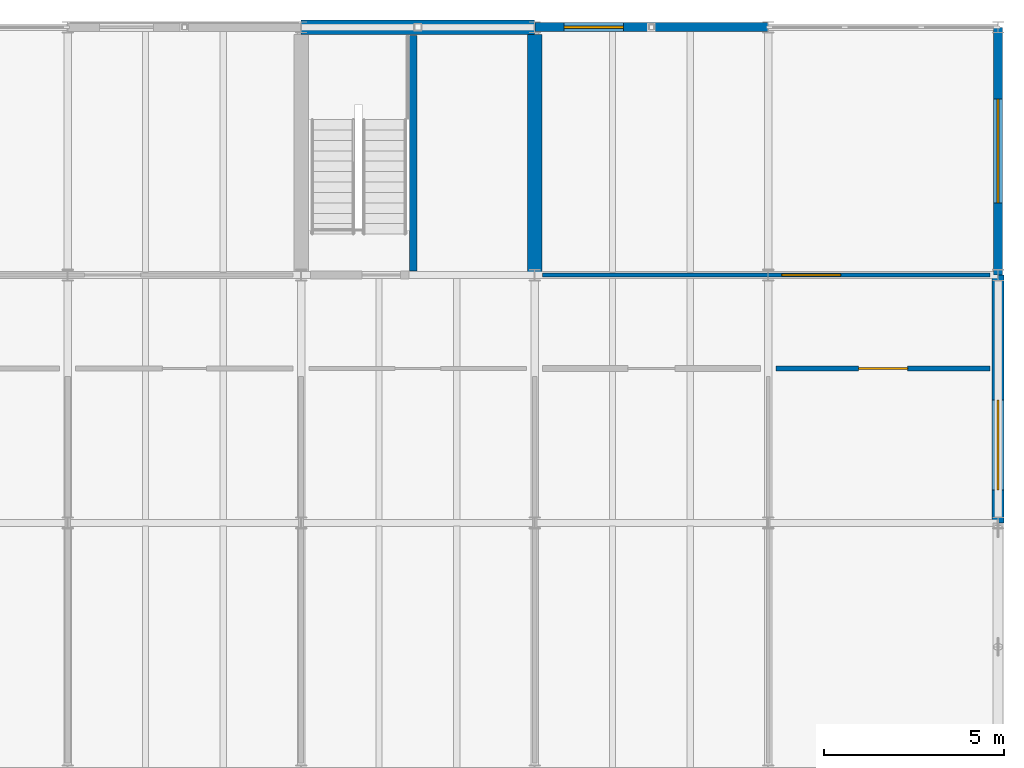
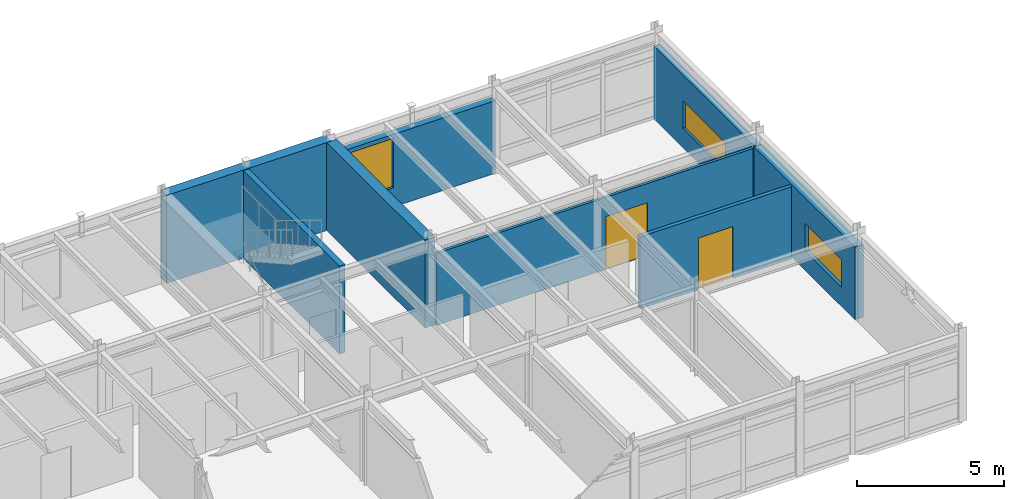
# One storey, part 43 of 49: 8 walls, 3 windows, 2 doors, 5 openings.
"""IFC4 building model written with IfcOpenShell, lengths in metres."""

from ifc_helpers import new_model, si_unit, direction, frame, frame_2d, origin, place, context, subcontext, project, spatial, rectangle, extrude, material, layer, layer_set, type_object, element, fill, save


model = new_model("IFC4")

# Units and contexts
model_context = context("Model", 3, precision=1e-05, world=origin(), true_north=direction((0.0, 1.0)))
body_context = subcontext(model_context, "Body", "Model", "MODEL_VIEW")
ifc_project = project(units=[si_unit("LENGTHUNIT", "METRE"), si_unit("AREAUNIT", "SQUARE_METRE"), si_unit("VOLUMEUNIT", "CUBIC_METRE"), si_unit("PLANEANGLEUNIT", "RADIAN"), si_unit("MASSUNIT", "GRAM", prefix="KILO")], contexts=[model_context])

# Site, building, storey
site_placement = place(None, origin())
site = spatial("IfcSite", under=ifc_project, at=site_placement, CompositionType="ELEMENT")
building_placement = place(site_placement, origin())
building = spatial("IfcBuilding", under=site, at=building_placement, Name="Trelmorton Wharf Fire Station", CompositionType="ELEMENT")
storey_placement = place(building_placement, frame((0.0, 0.0, 9.60009765625)))
storey = spatial("IfcBuildingStorey", under=building, at=storey_placement, Name="L02", CompositionType="ELEMENT", Elevation=9.60009765625)

# Wall, opening, window
ifc_material_1 = material(Name="Precast concrete 45 MPa", Category="concrete")
ifc_layer_1 = layer(ifc_material_1, 0.25)
ifc_layer_set_1 = layer_set([ifc_layer_1], Name="Precast concrete 45 MPa")
wall_type_1 = type_object("IfcWallType", Name="EW_PREC_250", PredefinedType="SOLIDWALL", material=ifc_layer_set_1)
wall_1_placement = place(storey_placement, frame((149.5048828125, 81.0, 0.0), z_axis=(0.0, 0.0, 1.0), x_axis=(1.0, 0.0, 0.0)))
wall_1 = element("IfcWall", 1, at=wall_1_placement, inside=storey, type_object=wall_type_1, Name="EW-V4-L02-0229", PredefinedType="SOLIDWALL", context=body_context, shape_type="SweptSolid", body=[
    extrude(rectangle(XDim=6.490234375, YDim=0.25, at=frame_2d((3.2451171875, 0.0))), origin(), (0.0, 0.0, 1.0), 3.02001953125),
])
opening_1_placement = place(wall_1_placement, frame((0.8125, 0.0, 0.800048828125)))
opening_1 = element("IfcOpeningElement", 2, at=opening_1_placement, cuts=wall_1, Name="Opening W24", PredefinedType="OPENING", context=body_context, shape_type="SweptSolid", body=[
    extrude(rectangle(XDim=1.64990234375, YDim=2.050048828125, at=frame_2d((0.824951171875, 1.02490234375))), frame((0.0, 0.135009765625, 0.0), z_axis=(0.0, -1.0, 0.0), x_axis=(1.0, 0.0, 0.0)), (0.0, 0.0, 1.0), 0.27001953125),
])
ifc_material_2 = material(Name="Tempered low-E double glazing", Category="glass")
window_type_1 = type_object("IfcWindowType", Name="WIN_W24", PartitioningType="DOUBLE_PANEL_VERTICAL", PredefinedType="WINDOW", material=ifc_material_2)
window_1_placement = place(opening_1_placement, origin())
window_1 = element("IfcWindow", 3, at=window_1_placement, inside=storey, type_object=window_type_1, Name="WN-V4-L02-0131", OverallHeight=2.050048828125, OverallWidth=1.64990234375, PartitioningType="DOUBLE_PANEL_VERTICAL", PredefinedType="WINDOW", context=body_context, shape_type="SweptSolid", body=[
    extrude(rectangle(XDim=1.64990234375, YDim=2.050048828125, at=frame_2d((0.824951171875, 1.02490234375))), frame((0.0, 0.030029296875, 0.0), z_axis=(0.0, -1.0, 0.0), x_axis=(1.0, 0.0, 0.0)), (0.0, 0.0, 1.0), 0.06005859375),
])
fill(opening_1, window_1)

wall_2_placement = place(storey_placement, frame((162.39990234375, 80.9951171875, 0.0), z_axis=(0.0, 0.0, 1.0), x_axis=(0.0, -1.0, 0.0)))
wall_2 = element("IfcWall", 4, at=wall_2_placement, inside=storey, type_object=wall_type_1, Name="EW-V4-L02-0235", PredefinedType="SOLIDWALL", context=body_context, shape_type="SweptSolid", body=[
    extrude(rectangle(XDim=6.89013671875, YDim=0.25, at=frame_2d((3.445068359375, 0.0))), origin(), (0.0, 0.0, 1.0), 3.02001953125),
])
opening_2_placement = place(wall_2_placement, frame((1.9951171875, 0.0, 0.800048828125)))
opening_2 = element("IfcOpeningElement", 5, at=opening_2_placement, cuts=wall_2, Name="Opening W28", PredefinedType="OPENING", context=body_context, shape_type="SweptSolid", body=[
    extrude(rectangle(XDim=2.89990234375, YDim=1.14990234375, at=frame_2d((1.449951171875, 0.574951171875))), frame((0.0, 0.135009765625, 0.0), z_axis=(0.0, -1.0, 0.0), x_axis=(1.0, 0.0, 0.0)), (0.0, 0.0, 1.0), 0.27001953125),
])
window_type_2 = type_object("IfcWindowType", Name="WIN_W28", PartitioningType="TRIPLE_PANEL_VERTICAL", PredefinedType="WINDOW", material=ifc_material_2)
window_2_placement = place(opening_2_placement, origin())
window_2 = element("IfcWindow", 6, at=window_2_placement, inside=storey, type_object=window_type_2, Name="WN-V4-L02-0135", OverallHeight=1.14990234375, OverallWidth=2.89990234375, PartitioningType="TRIPLE_PANEL_VERTICAL", PredefinedType="WINDOW", context=body_context, shape_type="SweptSolid", body=[
    extrude(rectangle(XDim=2.89990234375, YDim=1.14990234375, at=frame_2d((1.449951171875, 0.574951171875))), frame((0.0, 0.030029296875, 0.0), z_axis=(0.0, -1.0, 0.0), x_axis=(1.0, 0.0, 0.0)), (0.0, 0.0, 1.0), 0.06005859375),
])
fill(opening_2, window_2)

ifc_layer_2 = layer(ifc_material_1, 0.330078125)
ifc_layer_set_2 = layer_set([ifc_layer_2], Name="Precast concrete 45 MPa")
wall_type_2 = type_object("IfcWallType", Name="EW_TERR_330", PredefinedType="SOLIDWALL", material=ifc_layer_set_2)
wall_3_placement = place(storey_placement, frame((162.39990234375, 74.094970703125, 0.0), z_axis=(0.0, 0.0, 1.0), x_axis=(0.0, -1.0, 0.0)))
wall_3 = element("IfcWall", 7, at=wall_3_placement, inside=storey, type_object=wall_type_2, Name="EW-V4-L02-0233", PredefinedType="SOLIDWALL", context=body_context, shape_type="SweptSolid", body=[
    extrude(rectangle(XDim=6.889892578125, YDim=0.330078125, at=frame_2d((3.44482421875, 0.0))), origin(), (0.0, 0.0, 1.0), 3.02001953125),
])
opening_3_placement = place(wall_3_placement, frame((3.4775390625, 0.0, 0.800048828125)))
opening_3 = element("IfcOpeningElement", 8, at=opening_3_placement, cuts=wall_3, Name="Opening W26", PredefinedType="OPENING", context=body_context, shape_type="SweptSolid", body=[
    extrude(rectangle(XDim=2.5, YDim=1.14990234375, at=frame_2d((1.25, 0.574951171875))), frame((0.0, 0.175048828125, 0.0), z_axis=(0.0, -1.0, 0.0), x_axis=(1.0, 0.0, 0.0)), (0.0, 0.0, 1.0), 0.35009765625),
])
window_type_3 = type_object("IfcWindowType", Name="WIN_W26", PartitioningType="TRIPLE_PANEL_VERTICAL", PredefinedType="WINDOW", material=ifc_material_2)
window_3_placement = place(opening_3_placement, origin())
window_3 = element("IfcWindow", 9, at=window_3_placement, inside=storey, type_object=window_type_3, Name="WN-V4-L02-0133", OverallHeight=1.14990234375, OverallWidth=2.5, PartitioningType="TRIPLE_PANEL_VERTICAL", PredefinedType="WINDOW", context=body_context, shape_type="SweptSolid", body=[
    extrude(rectangle(XDim=2.5, YDim=1.14990234375, at=frame_2d((1.25, 0.574951171875))), frame((0.0, 0.030029296875, 0.0), z_axis=(0.0, -1.0, 0.0), x_axis=(1.0, 0.0, 0.0)), (0.0, 0.0, 1.0), 0.06005859375),
])
fill(opening_3, window_3)

# Wall, opening, door
ifc_material_3 = material(Name="Gypsum plasterboard partition")
ifc_layer_3 = layer(ifc_material_3, 0.14990234375)
ifc_layer_set_3 = layer_set([ifc_layer_3], Name="Gypsum plasterboard partition")
wall_type_3 = type_object("IfcWallType", Name="IW_ACOU_150", PredefinedType="PARTITIONING", material=ifc_layer_set_3)
wall_4_placement = place(storey_placement, frame((156.219970703125, 71.5, 0.0), z_axis=(0.0, 0.0, 1.0), x_axis=(1.0, 0.0, 0.0)))
wall_4 = element("IfcWall", 10, at=wall_4_placement, inside=storey, type_object=wall_type_3, Name="IW-L02-0170", PredefinedType="PARTITIONING", context=body_context, shape_type="SweptSolid", body=[
    extrude(rectangle(XDim=5.9599609375, YDim=0.14990234375, at=frame_2d((2.97998046875, 0.0))), origin(), (0.0, 0.0, 1.0), 3.0),
])
opening_4_placement = place(wall_4_placement, frame((2.300048828125, 0.0, 0.0)))
opening_4 = element("IfcOpeningElement", 11, at=opening_4_placement, cuts=wall_4, Name="Opening D-114", PredefinedType="OPENING", context=body_context, shape_type="SweptSolid", body=[
    extrude(rectangle(XDim=1.360107421875, YDim=2.14990234375, at=frame_2d((0.68017578125, 1.074951171875))), frame((0.0, 0.0849609375, 0.0), z_axis=(0.0, -1.0, 0.0), x_axis=(1.0, 0.0, 0.0)), (0.0, 0.0, 1.0), 0.169921875),
])
ifc_material_4 = material(Name="Acoustic timber panelling", Category="wood")
door_type_1 = type_object("IfcDoorType", Name="DR_INT_136", OperationType="DOUBLE_DOOR_SINGLE_SWING", PredefinedType="DOOR", material=ifc_material_4)
door_1_placement = place(opening_4_placement, origin())
door_1 = element("IfcDoor", 12, at=door_1_placement, inside=storey, type_object=door_type_1, Name="Interior Door D-114", OperationType="DOUBLE_DOOR_SINGLE_SWING", OverallHeight=2.14990234375, OverallWidth=1.360107421875, PredefinedType="DOOR", context=body_context, shape_type="SweptSolid", body=[
    extrude(rectangle(XDim=1.360107421875, YDim=2.14990234375, at=frame_2d((0.68017578125, 1.074951171875))), frame((0.0, 0.02490234375, 0.0), z_axis=(0.0, -1.0, 0.0), x_axis=(1.0, 0.0, 0.0)), (0.0, 0.0, 1.0), 0.050048828125),
])
fill(opening_4, door_1)

# Wall
ifc_material_5 = material(Name="Concrete 40 MPa", Category="concrete")
ifc_layer_4 = layer(ifc_material_5, 0.219970703125)
ifc_layer_set_4 = layer_set([ifc_layer_4], Name="Concrete 40 MPa")
wall_type_4 = type_object("IfcWallType", Name="IW_CORE_220", PredefinedType="SOLIDWALL", material=ifc_layer_set_4)
wall_5_placement = place(storey_placement, frame((146.1201171875, 74.219970703125, 0.0), z_axis=(0.0, 0.0, 1.0), x_axis=(0.0, 1.0, 0.0)))
element("IfcWall", 13, at=wall_5_placement, inside=storey, type_object=wall_type_4, Name="IW-C8-DIV-L02", PredefinedType="SOLIDWALL", context=body_context, shape_type="SweptSolid", body=[
    extrude(rectangle(XDim=6.554931640625, YDim=0.219970703125, at=frame_2d((3.27734375, 0.0))), origin(), (0.0, 0.0, 1.0), 3.659912109375),
])

# Wall, opening, door
ifc_layer_5 = layer(ifc_material_3, 0.110107421875)
ifc_layer_set_5 = layer_set([ifc_layer_5], Name="Gypsum plasterboard partition")
wall_type_5 = type_object("IfcWallType", Name="IW_PART_110", PredefinedType="PARTITIONING", material=ifc_layer_set_5)
wall_6_placement = place(storey_placement, frame((149.719970703125, 74.10009765625, 0.0), z_axis=(0.0, 0.0, 1.0), x_axis=(1.0, 0.0, 0.0)))
wall_6 = element("IfcWall", 14, at=wall_6_placement, inside=storey, type_object=wall_type_5, Name="IW-L02-0174", PredefinedType="PARTITIONING", context=body_context, shape_type="SweptSolid", body=[
    extrude(rectangle(XDim=12.4599609375, YDim=0.110107421875, at=frame_2d((6.22998046875, 0.0))), origin(), (0.0, 0.0, 1.0), 3.0),
])
opening_5_placement = place(wall_6_placement, frame((6.659912109375, 0.0, 0.0)))
opening_5 = element("IfcOpeningElement", 15, at=opening_5_placement, cuts=wall_6, Name="Opening D-118", PredefinedType="OPENING", context=body_context, shape_type="SweptSolid", body=[
    extrude(rectangle(XDim=1.639892578125, YDim=2.199951171875, at=frame_2d((0.81982421875, 1.10009765625))), frame((0.0, 0.06494140625, 0.0), z_axis=(0.0, -1.0, 0.0), x_axis=(1.0, 0.0, 0.0)), (0.0, 0.0, 1.0), 0.130126953125),
])
door_type_2 = type_object("IfcDoorType", Name="DR_INT_164", OperationType="DOUBLE_DOOR_SINGLE_SWING", PredefinedType="DOOR", material=ifc_material_4)
door_2_placement = place(opening_5_placement, origin())
door_2 = element("IfcDoor", 16, at=door_2_placement, inside=storey, type_object=door_type_2, Name="Interior Door D-118", OperationType="DOUBLE_DOOR_SINGLE_SWING", OverallHeight=2.199951171875, OverallWidth=1.639892578125, PredefinedType="DOOR", context=body_context, shape_type="SweptSolid", body=[
    extrude(rectangle(XDim=1.639892578125, YDim=2.199951171875, at=frame_2d((0.81982421875, 1.10009765625))), frame((0.0, 0.02490234375, 0.0), z_axis=(0.0, -1.0, 0.0), x_axis=(1.0, 0.0, 0.0)), (0.0, 0.0, 1.0), 0.050048828125),
])
fill(opening_5, door_2)

# Walls
ifc_material_6 = material(Name="Concrete 50 MPa", Category="concrete")
ifc_layer_6 = layer(ifc_material_6, 0.39990234375)
ifc_layer_set_6 = layer_set([ifc_layer_6], Name="Concrete 50 MPa")
wall_type_6 = type_object("IfcWallType", Name="WL_CORE_400", PredefinedType="SHEAR", material=ifc_layer_set_6)
wall_7_placement = place(storey_placement, frame((143.0, 81.0, 0.0), z_axis=(0.0, 0.0, 1.0), x_axis=(1.0, 0.0, 0.0)))
element("IfcWall", 17, at=wall_7_placement, inside=storey, type_object=wall_type_6, Name="WL-SW-C8-L02-145", PredefinedType="SHEAR", context=body_context, shape_type="SweptSolid", body=[
    extrude(rectangle(XDim=6.5, YDim=0.39990234375, at=frame_2d((3.25, 0.0))), origin(), (0.0, 0.0, 1.0), 3.659912109375),
])
wall_8_placement = place(storey_placement, frame((149.5, 74.10009765625, 0.0), z_axis=(0.0, 0.0, 1.0), x_axis=(0.0, 1.0, 0.0)))
element("IfcWall", 18, at=wall_8_placement, inside=storey, type_object=wall_type_6, Name="WL-SW-C8-L02-147", PredefinedType="SHEAR", context=body_context, shape_type="SweptSolid", body=[
    extrude(rectangle(XDim=6.699951171875, YDim=0.39990234375, at=frame_2d((3.35009765625, 0.0))), origin(), (0.0, 0.0, 1.0), 3.659912109375),
])

save(model, "model.ifc")
